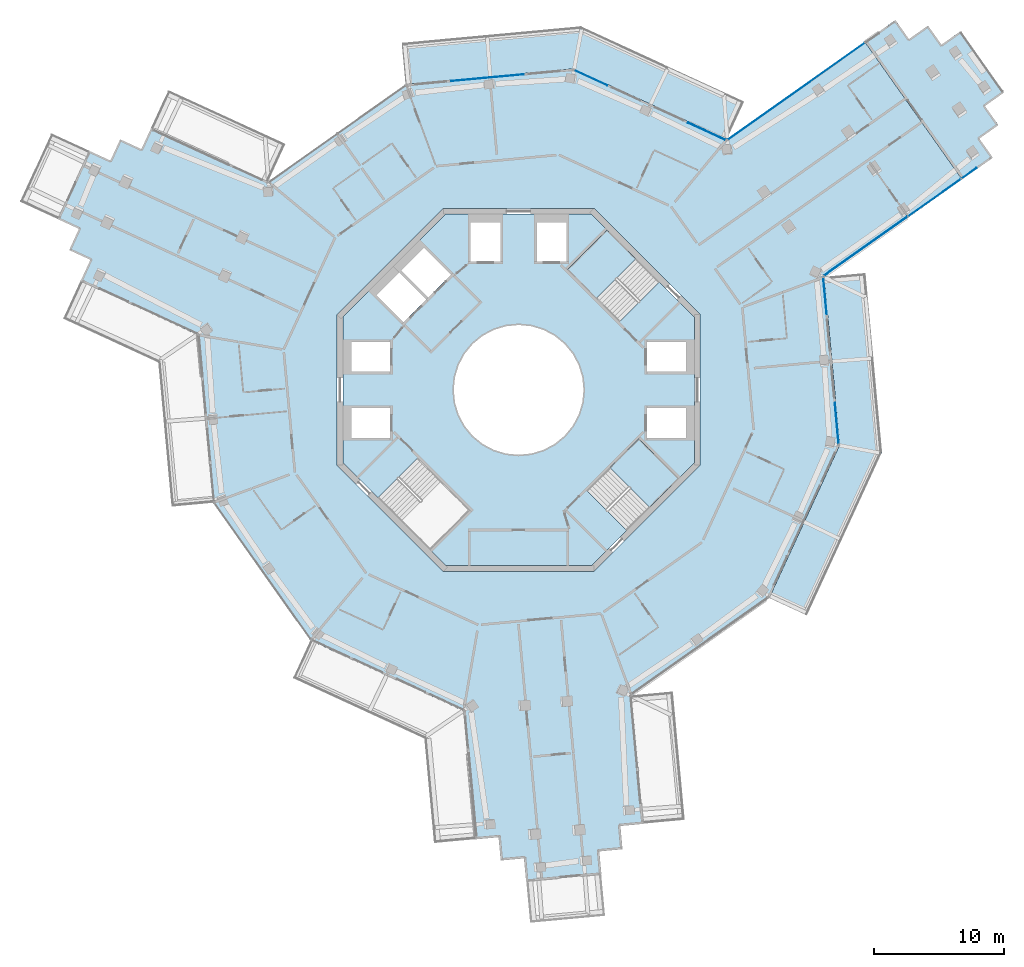
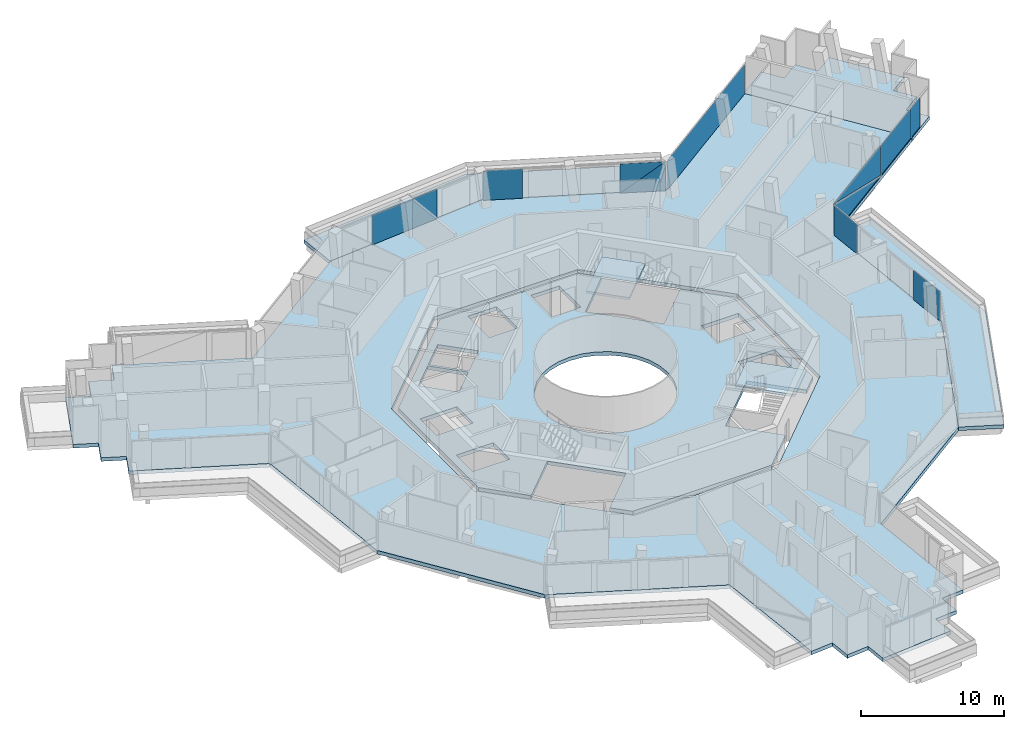
# One storey, part 15 of 25: 11 plates, 7 slabs, 7 elements without a shape of their own.
"""IFC4 building model written with IfcOpenShell, lengths in metres."""

from ifc_helpers import new_model, si_unit, direction, frame, origin, origin_2d, place, context, subcontext, project, spatial, polyline, rectangle, outline, extrude, material, layer, layer_set, type_object, element, aggregate, save


model = new_model("IFC4")

# Units and contexts
model_context = context("Model", 3, precision=1e-05, world=origin(), true_north=direction((0.0, 1.0)))
body_context = subcontext(model_context, "Body", "Model", "MODEL_VIEW")
ifc_project = project(units=[si_unit("LENGTHUNIT", "METRE"), si_unit("AREAUNIT", "SQUARE_METRE"), si_unit("VOLUMEUNIT", "CUBIC_METRE"), si_unit("PLANEANGLEUNIT", "RADIAN"), si_unit("MASSUNIT", "GRAM", prefix="KILO")], contexts=[model_context])

# Site, building, storey
site_placement = place(None, origin())
site = spatial("IfcSite", under=ifc_project, at=site_placement, CompositionType="ELEMENT")
building_placement = place(site_placement, origin())
building = spatial("IfcBuilding", under=site, at=building_placement, Name="Verdalira Terraces Hotel", CompositionType="ELEMENT")
storey_placement = place(building_placement, frame((0.0, 0.0, 299.5)))
storey = spatial("IfcBuildingStorey", under=building, at=storey_placement, Name="L74", CompositionType="ELEMENT", Elevation=299.5)

# Slabs
ifc_material_1 = material(Name="Precast concrete C40/50", Category="concrete")
ifc_layer_1 = layer(ifc_material_1, 0.31005859375)
ifc_layer_set_1 = layer_set([ifc_layer_1], Name="Balcony deck 310")
slab_type_1 = type_object("IfcSlabType", Name="Balcony deck 310", PredefinedType="FLOOR", material=ifc_layer_set_1)
slab_1_placement = place(storey_placement, frame((0.0, 0.0, -0.310059)))
element("IfcSlab", 1, at=slab_1_placement, inside=storey, type_object=slab_type_1, Name="Balcony deck", PredefinedType="FLOOR", context=body_context, shape_type="SweptSolid", body=[
    extrude(outline(polyline([(26.743652, 8.999268), (23.557129, 8.704834), (24.753662, -4.23999), (19.317139, -16.048828), (22.223877, -17.386963), (28.018799, -4.799316), (26.743652, 8.999268)])), origin(), (0.0, 0.0, 1.0), 0.310059),
])
slab_2_placement = place(storey_placement, frame((0.0, 0.0, -0.310059)))
element("IfcSlab", 2, at=slab_2_placement, inside=storey, type_object=slab_type_1, Name="Balcony deck", PredefinedType="FLOOR", context=body_context, shape_type="SweptSolid", body=[
    extrude(outline(polyline([(-8.999268, 26.743652), (-8.704834, 23.557129), (4.23999, 24.753662), (16.048828, 19.317139), (17.386963, 22.223877), (4.799316, 28.018799), (-8.999268, 26.743652)])), origin(), (0.0, 0.0, 1.0), 0.310059),
])

# Curtain wall, plates
ifc_material_2 = material(Name="Clear glass", Category="glass")
ifc_layer_2 = layer(ifc_material_2, 0.14990234375)
ifc_layer_set_2 = layer_set([ifc_layer_2], Name="CW1 curtain wall")
curtain_wall_type_1 = type_object("IfcCurtainWallType", Name="CW1 curtain wall", PredefinedType="NOTDEFINED", material=ifc_layer_set_2)
curtain_wall_1_placement = place(storey_placement, origin())
curtain_wall_1 = element("IfcCurtainWall", 3, at=curtain_wall_1_placement, inside=storey, type_object=curtain_wall_type_1, Name="CW1 curtain wall L74 edge 27", PredefinedType="NOTDEFINED")
ifc_material_3 = material(Name="Clear glass", Category="glass")
ifc_layer_3 = layer(ifc_material_3, 0.028076171875)
ifc_layer_set_3 = layer_set([ifc_layer_3], Name="CW1 glass unit 28")
plate_type_1 = type_object("IfcPlateType", Name="CW1 glass unit 28", PredefinedType="CURTAIN_PANEL", material=ifc_layer_set_3)
plate_1_placement = place(storey_placement, frame((24.524658, -2.579102, 0.0), z_axis=(0.0, 0.0, 1.0), x_axis=(-0.092023008, 0.995756881, 0.0)))
plate_1 = element("IfcPlate", 4, at=plate_1_placement, type_object=plate_type_1, Name="CW1 glass unit", PredefinedType="CURTAIN_PANEL", context=body_context, shape_type="SweptSolid", body=[
    extrude(rectangle(XDim=3.149902, YDim=0.028076, at=origin_2d()), origin(), (0.0, 0.0, 1.0), 2.524902),
])
plate_2_placement = place(storey_placement, frame((23.618164, 7.229736, 0.0), z_axis=(0.0, 0.0, 1.0), x_axis=(-0.092023008, 0.995756881, 0.0)))
plate_2 = element("IfcPlate", 5, at=plate_2_placement, type_object=plate_type_1, Name="CW1 glass unit", PredefinedType="CURTAIN_PANEL", context=body_context, shape_type="SweptSolid", body=[
    extrude(rectangle(XDim=2.828613, YDim=0.028076, at=origin_2d()), origin(), (0.0, 0.0, 1.0), 2.524902),
])
aggregate(curtain_wall_1, [plate_1, plate_2])

curtain_wall_2_placement = place(storey_placement, origin())
curtain_wall_2 = element("IfcCurtainWall", 6, at=curtain_wall_2_placement, inside=storey, type_object=curtain_wall_type_1, Name="CW1 curtain wall L74 edge 39", PredefinedType="NOTDEFINED")
plate_3_placement = place(storey_placement, frame((14.508301, 19.928467, 1.262451), z_axis=(0.418184178, 0.908362259, 0.0), x_axis=(-0.908362259, 0.418184178, 0.0)))
plate_3 = element("IfcPlate", 7, at=plate_3_placement, type_object=plate_type_1, Name="CW1 glass unit", PredefinedType="CURTAIN_PANEL", context=body_context, shape_type="SweptSolid", body=[
    extrude(outline(polyline([(-1.594971, -1.262451), (1.594971, -1.262451), (-1.594971, 1.262451), (-1.594971, -1.262451)])), origin(), (0.0, 0.0, 1.0), 0.028076),
])
plate_4_placement = place(storey_placement, frame((14.496094, 19.9021, 1.262451), z_axis=(0.418184178, 0.908362259, 0.0), x_axis=(-0.908362259, 0.418184178, 0.0)))
plate_4 = element("IfcPlate", 8, at=plate_4_placement, type_object=plate_type_1, Name="CW1 glass unit", PredefinedType="CURTAIN_PANEL", context=body_context, shape_type="SweptSolid", body=[
    extrude(outline(polyline([(1.594971, -1.262451), (1.594971, 1.262451), (-1.594971, 1.262451), (1.594971, -1.262451)])), origin(), (0.0, 0.0, 1.0), 0.028076),
])
plate_5_placement = place(storey_placement, frame((5.566162, 24.060547, 0.0), z_axis=(0.0, 0.0, 1.0), x_axis=(-0.908362259, 0.418184178, 0.0)))
plate_5 = element("IfcPlate", 9, at=plate_5_placement, type_object=plate_type_1, Name="CW1 glass unit", PredefinedType="CURTAIN_PANEL", context=body_context, shape_type="SweptSolid", body=[
    extrude(rectangle(XDim=2.788574, YDim=0.028076, at=origin_2d()), origin(), (0.0, 0.0, 1.0), 2.524902),
])
aggregate(curtain_wall_2, [plate_3, plate_4, plate_5])

# Curtain wall, plate
curtain_wall_3_placement = place(storey_placement, origin())
curtain_wall_3 = element("IfcCurtainWall", 10, at=curtain_wall_3_placement, inside=storey, type_object=curtain_wall_type_1, Name="CW1 curtain wall L74 edge 40", PredefinedType="NOTDEFINED")
plate_6_placement = place(storey_placement, frame((-2.404541, 24.064209, 0.0), z_axis=(0.0, 0.0, 1.0), x_axis=(-0.995756881, -0.092023008, 0.0)))
plate_6 = element("IfcPlate", 11, at=plate_6_placement, type_object=plate_type_1, Name="CW1 glass unit", PredefinedType="CURTAIN_PANEL", context=body_context, shape_type="SweptSolid", body=[
    extrude(rectangle(XDim=5.586182, YDim=0.028076, at=origin_2d()), origin(), (0.0, 0.0, 1.0), 2.524902),
])
aggregate(curtain_wall_3, [plate_6])

# Curtain wall, plates
ifc_material_4 = material(Name="Clear glass", Category="glass")
ifc_layer_4 = layer(ifc_material_4, 0.14990234375)
ifc_layer_set_4 = layer_set([ifc_layer_4], Name="CW2 curtain wall")
curtain_wall_type_2 = type_object("IfcCurtainWallType", Name="CW2 curtain wall", PredefinedType="NOTDEFINED", material=ifc_layer_set_4)
curtain_wall_4_placement = place(storey_placement, origin())
curtain_wall_4 = element("IfcCurtainWall", 12, at=curtain_wall_4_placement, inside=storey, type_object=curtain_wall_type_2, Name="CW2 curtain wall L74 edge 28", PredefinedType="NOTDEFINED")
ifc_material_5 = material(Name="Clear glass", Category="glass")
ifc_layer_5 = layer(ifc_material_5, 0.031982421875)
ifc_layer_set_5 = layer_set([ifc_layer_5], Name="CW2 glass unit 32")
plate_type_2 = type_object("IfcPlateType", Name="CW2 glass unit 32", PredefinedType="CURTAIN_PANEL", material=ifc_layer_set_5)
plate_7_placement = place(storey_placement, frame((26.769043, 11.088623, 1.262451), z_axis=(0.577572703, -0.816339251, 0.0), x_axis=(0.816339251, 0.577572703, 0.0)))
plate_7 = element("IfcPlate", 13, at=plate_7_placement, type_object=plate_type_2, Name="CW2 glass unit", PredefinedType="CURTAIN_PANEL", context=body_context, shape_type="SweptSolid", body=[
    extrude(outline(polyline([(-3.928711, -1.262451), (3.928711, -1.262451), (-3.928711, 1.262451), (-3.928711, -1.262451)])), origin(), (0.0, 0.0, 1.0), 0.031982),
])
plate_8_placement = place(storey_placement, frame((26.75, 11.115723, 1.262451), z_axis=(0.577572703, -0.816339251, 0.0), x_axis=(0.816339251, 0.577572703, 0.0)))
plate_8 = element("IfcPlate", 14, at=plate_8_placement, type_object=plate_type_2, Name="CW2 glass unit", PredefinedType="CURTAIN_PANEL", context=body_context, shape_type="SweptSolid", body=[
    extrude(outline(polyline([(3.928711, -1.262451), (3.928711, 1.262451), (-3.928711, 1.262451), (3.928711, -1.262451)])), origin(), (0.0, 0.0, 1.0), 0.031982),
])
plate_9_placement = place(storey_placement, frame((32.07251, 14.821289, 0.0), z_axis=(0.0, 0.0, 1.0), x_axis=(0.816339251, 0.577572703, 0.0)))
plate_9 = element("IfcPlate", 15, at=plate_9_placement, type_object=plate_type_2, Name="CW2 glass unit", PredefinedType="CURTAIN_PANEL", context=body_context, shape_type="SweptSolid", body=[
    extrude(rectangle(XDim=4.972656, YDim=0.031982, at=origin_2d()), origin(), (0.0, 0.0, 1.0), 2.524902),
])
plate_10_placement = place(storey_placement, frame((34.72876, 16.700684, 0.0), z_axis=(0.0, 0.0, 1.0), x_axis=(0.816339251, 0.577572703, 0.0)))
plate_10 = element("IfcPlate", 16, at=plate_10_placement, type_object=plate_type_2, Name="CW2 glass unit", PredefinedType="CURTAIN_PANEL", context=body_context, shape_type="SweptSolid", body=[
    extrude(rectangle(XDim=1.39502, YDim=0.031982, at=origin_2d()), origin(), (0.0, 0.0, 1.0), 2.524902),
])
aggregate(curtain_wall_4, [plate_7, plate_8, plate_9, plate_10])

# Curtain wall, plate
curtain_wall_5_placement = place(storey_placement, origin())
curtain_wall_5 = element("IfcCurtainWall", 17, at=curtain_wall_5_placement, inside=storey, type_object=curtain_wall_type_2, Name="CW2 curtain wall L74 edge 38", PredefinedType="NOTDEFINED")
plate_11_placement = place(storey_placement, frame((21.414795, 23.021729, 0.0), z_axis=(0.0, 0.0, 1.0), x_axis=(-0.816339251, -0.577572703, 0.0)))
plate_11 = element("IfcPlate", 18, at=plate_11_placement, type_object=plate_type_2, Name="CW2 glass unit", PredefinedType="CURTAIN_PANEL", context=body_context, shape_type="SweptSolid", body=[
    extrude(rectangle(XDim=12.900391, YDim=0.031982, at=origin_2d()), origin(), (0.0, 0.0, 1.0), 2.524902),
])
aggregate(curtain_wall_5, [plate_11])

# Slab
ifc_material_6 = material(Name="Concrete C40", Category="concrete")
ifc_layer_6 = layer(ifc_material_6, 0.31005859375)
ifc_layer_set_6 = layer_set([ifc_layer_6], Name="Core floor slab 310 mm")
slab_type_2 = type_object("IfcSlabType", Name="Core floor slab 310 mm", PredefinedType="FLOOR", material=ifc_layer_set_6)
slab_3_placement = place(storey_placement, frame((0.0, 0.0, -0.310059)))
element("IfcSlab", 19, at=slab_3_placement, inside=storey, type_object=slab_type_2, Name="L74 core floor", PredefinedType="FLOOR", context=body_context, shape_type="SweptSolid", body=[
    extrude(outline(polyline([(-6.809326, -12.353271), (-3.719482, -9.263184), (-7.746094, -5.236572), (-10.836182, -8.326416), (-13.550049, -5.612549), (-13.550049, 5.612549), (-5.612549, 13.550049), (5.612549, 13.550049), (6.809326, 12.353271), (3.719482, 9.263184), (7.746094, 5.236572), (10.836182, 8.326416), (13.550049, 5.612549), (13.550049, -5.612549), (12.353271, -6.809326), (9.263184, -3.719482), (5.236572, -7.746094), (8.326416, -10.836182), (5.612549, -13.550049), (-5.612549, -13.550049), (-6.809326, -12.353271)]), holes=[polyline([(9.899902, -1.399902), (9.899902, -3.699951), (12.899902, -3.699951), (12.899902, -1.399902), (9.899902, -1.399902)]), polyline([(9.899902, 3.699951), (9.899902, 1.399902), (12.899902, 1.399902), (12.899902, 3.699951), (9.899902, 3.699951)]), polyline([(3.699951, 12.899902), (1.399902, 12.899902), (1.399902, 9.899902), (3.699951, 9.899902), (3.699951, 12.899902)]), polyline([(-1.399902, 12.899902), (-3.699951, 12.899902), (-3.699951, 9.899902), (-1.399902, 9.899902), (-1.399902, 12.899902)]), polyline([(-9.899902, 1.399902), (-9.899902, 3.699951), (-12.899902, 3.699951), (-12.899902, 1.399902), (-9.899902, 1.399902)]), polyline([(-9.899902, -3.699951), (-9.899902, -1.399902), (-12.899902, -1.399902), (-12.899902, -3.699951), (-9.899902, -3.699951)]), polyline([(-9.051025, 9.192383), (-6.965088, 7.106445), (-5.197266, 8.874268), (-7.283203, 10.960205), (-9.051025, 9.192383)]), polyline([(-9.192383, 9.051025), (-10.960205, 7.283203), (-8.874268, 5.197266), (-7.106445, 6.965088), (-9.192383, 9.051025)]), polyline([(3.5354, 3.5354), (2.777832, 4.157227), (1.91333, 4.619385), (0.975586, 4.903809), (0.0, 5.0), (-0.975586, 4.903809), (-1.91333, 4.619385), (-2.777832, 4.157227), (-3.5354, 3.5354), (-4.157227, 2.777832), (-4.619385, 1.91333), (-4.903809, 0.975586), (-5.0, 0.0), (-4.903809, -0.975586), (-4.619385, -1.91333), (-4.157227, -2.777832), (-3.5354, -3.5354), (-2.777832, -4.157227), (-1.91333, -4.619385), (-0.975586, -4.903809), (0.0, -5.0), (0.975586, -4.903809), (1.91333, -4.619385), (2.777832, -4.157227), (3.5354, -3.5354), (4.157227, -2.777832), (4.619385, -1.91333), (4.903809, -0.975586), (5.0, 0.0), (4.903809, 0.975586), (4.619385, 1.91333), (4.157227, 2.777832), (3.5354, 3.5354)])]), origin(), (0.0, 0.0, 1.0), 0.310059),
])

# Stair, slab
ifc_material_7 = material(Name="Concrete C40", Category="concrete")
stair_type = type_object("IfcStairType", Name="Core stair 20 risers 2125 mm wide", PredefinedType="HALF_TURN_STAIR", material=ifc_material_7)
stair_1_placement = place(storey_placement, origin())
stair_1 = element("IfcStair", 20, at=stair_1_placement, inside=storey, type_object=stair_type, Name="L74 Exit stair ST1", PredefinedType="HALF_TURN_STAIR")
ifc_material_8 = material(Name="Concrete C40", Category="concrete")
ifc_layer_7 = layer(ifc_material_8, 0.199951171875)
ifc_layer_set_7 = layer_set([ifc_layer_7], Name="Core stair landing 200 mm")
slab_type_3 = type_object("IfcSlabType", Name="Core stair landing 200 mm", PredefinedType="LANDING", material=ifc_layer_set_7)
slab_4_placement = place(storey_placement, frame((0.0, 0.0, 1.550049)))
slab_4 = element("IfcSlab", 21, at=slab_4_placement, type_object=slab_type_3, Name="ST1 landing 1", PredefinedType="LANDING", context=body_context, shape_type="SweptSolid", body=[
    extrude(outline(polyline([(9.054932, 10.107666), (6.823486, 12.339111), (3.747559, 9.263184), (5.979004, 7.031738), (9.054932, 10.107666)])), origin(), (0.0, 0.0, 1.0), 0.199951),
])
aggregate(stair_1, [slab_4])

stair_2_placement = place(storey_placement, origin())
stair_2 = element("IfcStair", 22, at=stair_2_placement, inside=storey, type_object=stair_type, Name="L74 Exit stair ST3", PredefinedType="HALF_TURN_STAIR")
slab_5_placement = place(storey_placement, frame((0.0, 0.0, 1.550049)))
slab_5 = element("IfcSlab", 23, at=slab_5_placement, type_object=slab_type_3, Name="ST3 landing 1", PredefinedType="LANDING", context=body_context, shape_type="SweptSolid", body=[
    extrude(outline(polyline([(10.107666, -9.054932), (12.339111, -6.823486), (9.263184, -3.747559), (7.031738, -5.979004), (10.107666, -9.054932)])), origin(), (0.0, 0.0, 1.0), 0.199951),
])
aggregate(stair_2, [slab_5])

# Slabs
ifc_material_9 = material(Name="Concrete C40", Category="concrete")
ifc_layer_8 = layer(ifc_material_9, 0.31005859375)
ifc_layer_set_8 = layer_set([ifc_layer_8], Name="Floor slab 310 C40")
slab_type_4 = type_object("IfcSlabType", Name="Floor slab 310 C40", PredefinedType="FLOOR", material=ifc_layer_set_8)
slab_6_placement = place(storey_placement, frame((0.0, 0.0, -0.310059)))
element("IfcSlab", 24, at=slab_6_placement, inside=storey, type_object=slab_type_4, Name="Floor slab L74", PredefinedType="FLOOR", context=body_context, shape_type="SweptSolid", body=[
    extrude(outline(polyline([(24.753418, -4.23999), (23.557129, 8.70459), (34.189941, 16.227539), (26.681641, 26.840088), (16.048828, 19.317139), (4.23999, 24.753418), (-8.70459, 23.557129), (-19.317139, 16.048828), (-28.333008, 20.199463), (-29.085693, 18.564453), (-30.720703, 19.317139), (-31.473633, 17.682129), (-33.108643, 18.434814), (-35.53418, 13.16626), (-33.898926, 12.413574), (-34.651855, 10.778564), (-33.016602, 10.025879), (-33.769531, 8.390869), (-24.753418, 4.23999), (-23.557129, -8.70459), (-16.048828, -19.317139), (-4.23999, -24.753418), (-3.32666, -34.636963), (-1.534424, -34.471191), (-1.368652, -36.263672), (0.423584, -36.0979), (0.589355, -37.890381), (6.364746, -37.356689), (6.198975, -35.564209), (7.991455, -35.398682), (7.825684, -33.606201), (9.618164, -33.440674), (8.70459, -23.557129), (19.317139, -16.048828), (24.753418, -4.23999)]), holes=[polyline([(5.799072, 14.0), (14.0, 5.799072), (14.0, -5.799072), (5.799072, -14.0), (-5.799072, -14.0), (-14.0, -5.799072), (-14.0, 5.799072), (-5.799072, 14.0), (5.799072, 14.0)])]), origin(), (0.0, 0.0, 1.0), 0.310059),
])
ifc_material_10 = material(Name="Concrete C40", Category="concrete")
ifc_layer_9 = layer(ifc_material_10, 0.31005859375)
ifc_layer_set_9 = layer_set([ifc_layer_9], Name="Loggia floor deck 310 C40")
slab_type_5 = type_object("IfcSlabType", Name="Loggia floor deck 310 C40", PredefinedType="FLOOR", material=ifc_layer_set_9)
slab_7_placement = place(storey_placement, frame((0.0, 0.0, -0.310059)))
element("IfcSlab", 25, at=slab_7_placement, inside=storey, type_object=slab_type_5, Name="Loggia deck L74", PredefinedType="FLOOR", context=body_context, shape_type="SweptSolid", body=[
    extrude(outline(polyline([(29.049316, 28.515381), (26.681885, 26.840332), (34.19043, 16.227783), (36.557861, 17.902832), (35.518311, 19.372314), (36.987549, 20.411865), (35.947998, 21.881348), (37.41748, 22.920898), (34.067383, 27.655762), (32.5979, 26.616211), (31.55835, 28.085449), (30.089111, 27.045898), (29.049316, 28.515381)])), origin(), (0.0, 0.0, 1.0), 0.310059),
])

save(model, "model.ifc")
